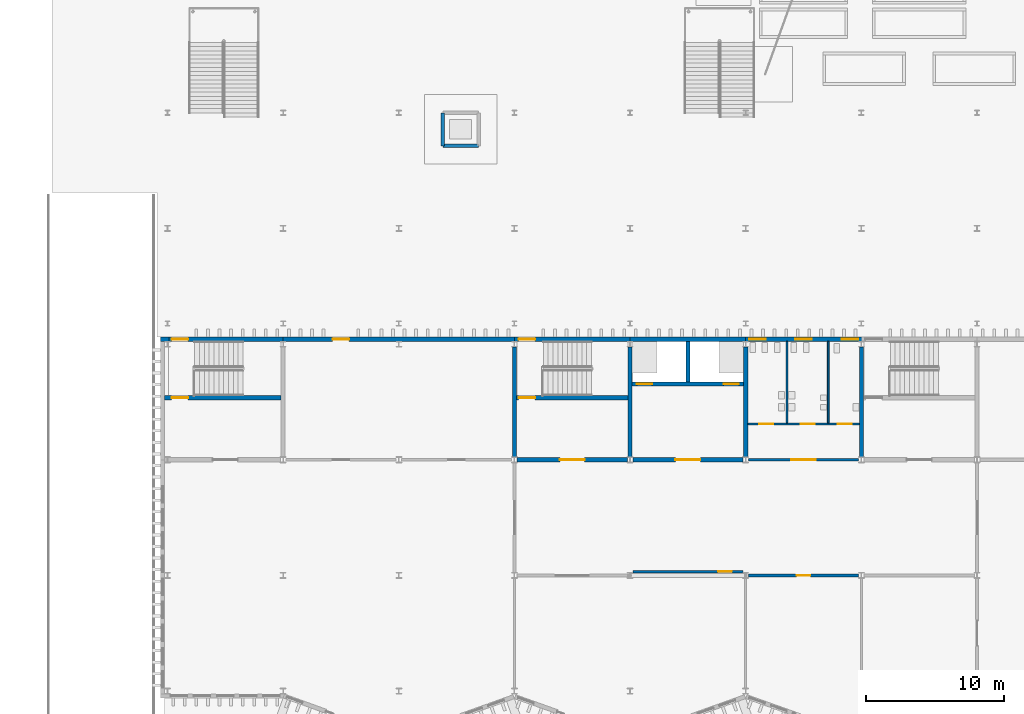
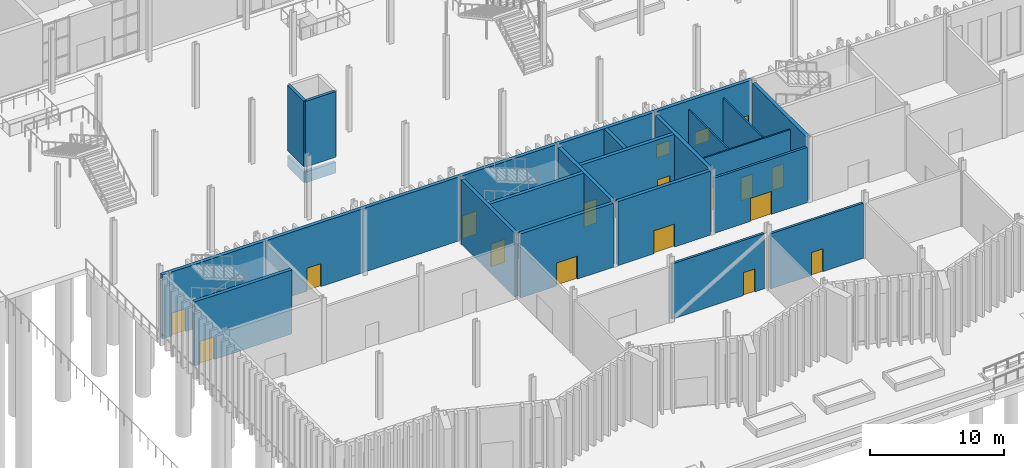
# One storey, part 55 of 108: 26 walls, 15 doors, 3 windows, 18 openings.
"""IFC4 building model written with IfcOpenShell, lengths in metres."""

from ifc_helpers import new_model, si_unit, direction, frame, frame_2d, origin, place, context, subcontext, project, spatial, rectangle, extrude, material, layer, layer_set, type_object, element, fill, save


model = new_model("IFC4")

# Units and contexts
model_context = context("Model", 3, precision=1e-05, world=origin(), true_north=direction((0.0, 1.0)))
body_context = subcontext(model_context, "Body", "Model", "MODEL_VIEW")
ifc_project = project(units=[si_unit("LENGTHUNIT", "METRE"), si_unit("AREAUNIT", "SQUARE_METRE"), si_unit("VOLUMEUNIT", "CUBIC_METRE"), si_unit("PLANEANGLEUNIT", "RADIAN"), si_unit("MASSUNIT", "GRAM", prefix="KILO")], contexts=[model_context])

# Site, building, storey
site_placement = place(None, origin())
site = spatial("IfcSite", under=ifc_project, at=site_placement, CompositionType="ELEMENT")
building_placement = place(site_placement, origin())
building = spatial("IfcBuilding", under=site, at=building_placement, Name="Cresset Court Congress Hotel", CompositionType="ELEMENT")
storey_placement = place(building_placement, origin())
storey = spatial("IfcBuildingStorey", under=building, at=storey_placement, Name="L00", CompositionType="ELEMENT", Elevation=0.0)

# Walls
ifc_material_1 = material(Name="Concrete C50", Category="concrete")
ifc_layer_1 = layer(ifc_material_1, 0.300048828125)
ifc_layer_set_1 = layer_set([ifc_layer_1], Name="Core wall 300 Concrete C50")
wall_type_1 = type_object("IfcWallType", Name="Core wall 300 Concrete C50", PredefinedType="SHEAR", material=ifc_layer_set_1)
for number, where, z_axis, x_axis, name in (
    (1, (42.0, 17.0, 0.0), (0.0, 0.0, 1.0), (0.0, 1.0, 0.0), "Core wall LC-B1"),
    (2, (50.39990234375, 17.0, 0.0), (0.0, 0.0, 1.0), (0.0, 1.0, 0.0), "Core wall LC-B1"),
):
    element("IfcWall", number, at=place(storey_placement, frame(where, z_axis=z_axis, x_axis=x_axis)), inside=storey, type_object=wall_type_1, Name=name, PredefinedType="SHEAR", context=body_context, shape_type="SweptSolid", body=[
        extrude(rectangle(XDim=8.0, YDim=0.300048828125, at=frame_2d((4.0, 0.0))), origin(), (0.0, 0.0, 1.0), 5.85009765625),
    ])

# Wall, opening, door
wall_1_placement = place(storey_placement, frame((42.199951171875, 16.800048828125, 0.0), z_axis=(0.0, 0.0, 1.0), x_axis=(1.0, 0.0, 0.0)))
wall_1 = element("IfcWall", 3, at=wall_1_placement, inside=storey, type_object=wall_type_1, Name="Core wall LC-B1", PredefinedType="SHEAR", context=body_context, shape_type="SweptSolid", body=[
    extrude(rectangle(XDim=8.0, YDim=0.300048828125, at=frame_2d((4.0, 0.0))), origin(), (0.0, 0.0, 1.0), 5.85009765625),
])
opening_1_placement = place(wall_1_placement, frame((3.10009765625, 0.0, 0.0)))
opening_1 = element("IfcOpeningElement", 4, at=opening_1_placement, cuts=wall_1, Name="Opening DB-00-46", PredefinedType="OPENING", context=body_context, shape_type="SweptSolid", body=[
    extrude(rectangle(XDim=1.800048828125, YDim=2.10009765625, at=frame_2d((0.89990234375, 1.050048828125))), frame((0.0, 0.159912109375, 0.0), z_axis=(0.0, -1.0, 0.0), x_axis=(1.0, 0.0, 0.0)), (0.0, 0.0, 1.0), 0.320068359375),
])
ifc_material_2 = material(Name="Timber and steel frame", Category="steel")
door_type_1 = type_object("IfcDoorType", Name="Lobby fire door FD60 double 1800x2100", OperationType="DOUBLE_DOOR_SINGLE_SWING", PredefinedType="DOOR", material=ifc_material_2)
door_1_placement = place(opening_1_placement, origin())
door_1 = element("IfcDoor", 5, at=door_1_placement, inside=storey, type_object=door_type_1, Name="Lift lobby door LC-B1", OperationType="DOUBLE_DOOR_SINGLE_SWING", OverallHeight=2.10009765625, OverallWidth=1.800048828125, PredefinedType="DOOR", context=body_context, shape_type="SweptSolid", body=[
    extrude(rectangle(XDim=1.800048828125, YDim=2.10009765625, at=frame_2d((0.89990234375, 1.050048828125))), frame((0.0, 0.02490234375, 0.0), z_axis=(0.0, -1.0, 0.0), x_axis=(1.0, 0.0, 0.0)), (0.0, 0.0, 1.0), 0.050048828125),
])
fill(opening_1, door_1)

# Wall, openings, doors
wall_2_placement = place(storey_placement, frame((42.14990234375, 22.300048828125, 0.0), z_axis=(0.0, 0.0, 1.0), x_axis=(1.0, 0.0, 0.0)))
wall_2 = element("IfcWall", 6, at=wall_2_placement, inside=storey, type_object=wall_type_1, Name="Core wall LC-B1", PredefinedType="SHEAR", context=body_context, shape_type="SweptSolid", body=[
    extrude(rectangle(XDim=8.10009765625, YDim=0.300048828125, at=frame_2d((4.050048828125, 0.0))), origin(), (0.0, 0.0, 1.0), 5.85009765625),
])
opening_2_placement = place(wall_2_placement, frame((0.35009765625, 0.0, 0.0)))
opening_2 = element("IfcOpeningElement", 7, at=opening_2_placement, cuts=wall_2, Name="Opening LD-B1-03", PredefinedType="OPENING", context=body_context, shape_type="SweptSolid", body=[
    extrude(rectangle(XDim=1.10009765625, YDim=2.199951171875, at=frame_2d((0.550048828125, 1.10009765625))), frame((0.0, 0.159912109375, 0.0), z_axis=(0.0, -1.0, 0.0), x_axis=(1.0, 0.0, 0.0)), (0.0, 0.0, 1.0), 0.320068359375),
])
opening_3_placement = place(wall_2_placement, frame((6.64990234375, 0.0, 0.0)))
opening_3 = element("IfcOpeningElement", 8, at=opening_3_placement, cuts=wall_2, Name="Opening LD-B1-04", PredefinedType="OPENING", context=body_context, shape_type="SweptSolid", body=[
    extrude(rectangle(XDim=1.10009765625, YDim=2.199951171875, at=frame_2d((0.550048828125, 1.10009765625))), frame((0.0, 0.159912109375, 0.0), z_axis=(0.0, -1.0, 0.0), x_axis=(1.0, 0.0, 0.0)), (0.0, 0.0, 1.0), 0.320068359375),
])
ifc_material_3 = material(Name="Stainless steel", Category="steel")
door_type_2 = type_object("IfcDoorType", Name="Lift landing door sliding 1100x2200", OperationType="SLIDING_TO_LEFT", PredefinedType="DOOR", material=ifc_material_3)
door_2_placement = place(opening_2_placement, origin())
door_2 = element("IfcDoor", 9, at=door_2_placement, inside=storey, type_object=door_type_2, Name="Lift landing door LD-B1-03", OperationType="SLIDING_TO_LEFT", OverallHeight=2.199951171875, OverallWidth=1.10009765625, PredefinedType="DOOR", context=body_context, shape_type="SweptSolid", body=[
    extrude(rectangle(XDim=1.10009765625, YDim=2.199951171875, at=frame_2d((0.550048828125, 1.10009765625))), frame((0.0, 0.02490234375, 0.0), z_axis=(0.0, -1.0, 0.0), x_axis=(1.0, 0.0, 0.0)), (0.0, 0.0, 1.0), 0.050048828125),
])
fill(opening_2, door_2)
door_3_placement = place(opening_3_placement, origin())
door_3 = element("IfcDoor", 10, at=door_3_placement, inside=storey, type_object=door_type_2, Name="Lift landing door LD-B1-04", OperationType="SLIDING_TO_LEFT", OverallHeight=2.199951171875, OverallWidth=1.10009765625, PredefinedType="DOOR", context=body_context, shape_type="SweptSolid", body=[
    extrude(rectangle(XDim=1.10009765625, YDim=2.199951171875, at=frame_2d((0.550048828125, 1.10009765625))), frame((0.0, 0.02490234375, 0.0), z_axis=(0.0, -1.0, 0.0), x_axis=(1.0, 0.0, 0.0)), (0.0, 0.0, 1.0), 0.050048828125),
])
fill(opening_3, door_3)

# Wall
wall_3_placement = place(storey_placement, frame((46.199951171875, 22.449951171875, 0.0), z_axis=(0.0, 0.0, 1.0), x_axis=(0.0, 1.0, 0.0)))
element("IfcWall", 11, at=wall_3_placement, inside=storey, type_object=wall_type_1, Name="Core wall LC-B1", PredefinedType="SHEAR", context=body_context, shape_type="SweptSolid", body=[
    extrude(rectangle(XDim=2.949951171875, YDim=0.300048828125, at=frame_2d((1.47509765625, 0.0))), origin(), (0.0, 0.0, 1.0), 5.85009765625),
])

# Wall, opening, door
wall_4_placement = place(storey_placement, frame((8.199951171875, 21.300048828125, 0.0), z_axis=(0.0, 0.0, 1.0), x_axis=(1.0, 0.0, 0.0)))
wall_4 = element("IfcWall", 12, at=wall_4_placement, inside=storey, type_object=wall_type_1, Name="Core wall ST-B1", PredefinedType="SHEAR", context=body_context, shape_type="SweptSolid", body=[
    extrude(rectangle(XDim=8.449951171875, YDim=0.300048828125, at=frame_2d((4.22509765625, 0.0))), origin(), (0.0, 0.0, 1.0), 5.85009765625),
])
opening_4_placement = place(wall_4_placement, frame((0.5, 0.0, 0.0)))
opening_4 = element("IfcOpeningElement", 13, at=opening_4_placement, cuts=wall_4, Name="Opening DB-00-55", PredefinedType="OPENING", context=body_context, shape_type="SweptSolid", body=[
    extrude(rectangle(XDim=1.199951171875, YDim=2.10009765625, at=frame_2d((0.60009765625, 1.050048828125))), frame((0.0, 0.159912109375, 0.0), z_axis=(0.0, -1.0, 0.0), x_axis=(1.0, 0.0, 0.0)), (0.0, 0.0, 1.0), 0.320068359375),
])
ifc_material_4 = material(Name="Timber and steel frame", Category="steel")
door_type_3 = type_object("IfcDoorType", Name="Stair fire door FD60 1200x2100", OperationType="SINGLE_SWING_LEFT", PredefinedType="DOOR", material=ifc_material_4)
door_4_placement = place(opening_4_placement, origin())
door_4 = element("IfcDoor", 14, at=door_4_placement, inside=storey, type_object=door_type_3, Name="Stair door ST-B1", OperationType="SINGLE_SWING_LEFT", OverallHeight=2.10009765625, OverallWidth=1.199951171875, PredefinedType="DOOR", context=body_context, shape_type="SweptSolid", body=[
    extrude(rectangle(XDim=1.199951171875, YDim=2.10009765625, at=frame_2d((0.60009765625, 1.050048828125))), frame((0.0, 0.02490234375, 0.0), z_axis=(0.0, -1.0, 0.0), x_axis=(1.0, 0.0, 0.0)), (0.0, 0.0, 1.0), 0.050048828125),
])
fill(opening_4, door_4)

# Wall
wall_5_placement = place(storey_placement, frame((33.60009765625, 17.0, 0.0), z_axis=(0.0, 0.0, 1.0), x_axis=(0.0, 1.0, 0.0)))
element("IfcWall", 15, at=wall_5_placement, inside=storey, type_object=wall_type_1, Name="Core wall ST-B2", PredefinedType="SHEAR", context=body_context, shape_type="SweptSolid", body=[
    extrude(rectangle(XDim=8.0, YDim=0.300048828125, at=frame_2d((4.0, 0.0))), origin(), (0.0, 0.0, 1.0), 5.85009765625),
])

# Wall, opening, door
wall_6_placement = place(storey_placement, frame((33.800048828125, 16.800048828125, 0.0), z_axis=(0.0, 0.0, 1.0), x_axis=(1.0, 0.0, 0.0)))
wall_6 = element("IfcWall", 16, at=wall_6_placement, inside=storey, type_object=wall_type_1, Name="Core wall ST-B2", PredefinedType="SHEAR", context=body_context, shape_type="SweptSolid", body=[
    extrude(rectangle(XDim=8.0, YDim=0.300048828125, at=frame_2d((4.0, 0.0))), origin(), (0.0, 0.0, 1.0), 5.85009765625),
])
opening_5_placement = place(wall_6_placement, frame((3.10009765625, 0.0, 0.0)))
opening_5 = element("IfcOpeningElement", 17, at=opening_5_placement, cuts=wall_6, Name="Opening DB-00-58", PredefinedType="OPENING", context=body_context, shape_type="SweptSolid", body=[
    extrude(rectangle(XDim=1.800048828125, YDim=2.10009765625, at=frame_2d((0.89990234375, 1.050048828125))), frame((0.0, 0.159912109375, 0.0), z_axis=(0.0, -1.0, 0.0), x_axis=(1.0, 0.0, 0.0)), (0.0, 0.0, 1.0), 0.320068359375),
])
door_5_placement = place(opening_5_placement, origin())
door_5 = element("IfcDoor", 18, at=door_5_placement, inside=storey, type_object=door_type_1, Name="Stair lobby door ST-B2", OperationType="DOUBLE_DOOR_SINGLE_SWING", OverallHeight=2.10009765625, OverallWidth=1.800048828125, PredefinedType="DOOR", context=body_context, shape_type="SweptSolid", body=[
    extrude(rectangle(XDim=1.800048828125, YDim=2.10009765625, at=frame_2d((0.89990234375, 1.050048828125))), frame((0.0, 0.02490234375, 0.0), z_axis=(0.0, -1.0, 0.0), x_axis=(1.0, 0.0, 0.0)), (0.0, 0.0, 1.0), 0.050048828125),
])
fill(opening_5, door_5)

wall_7_placement = place(storey_placement, frame((33.75, 21.300048828125, 0.0), z_axis=(0.0, 0.0, 1.0), x_axis=(1.0, 0.0, 0.0)))
wall_7 = element("IfcWall", 19, at=wall_7_placement, inside=storey, type_object=wall_type_1, Name="Core wall ST-B2", PredefinedType="SHEAR", context=body_context, shape_type="SweptSolid", body=[
    extrude(rectangle(XDim=8.10009765625, YDim=0.300048828125, at=frame_2d((4.050048828125, 0.0))), origin(), (0.0, 0.0, 1.0), 5.85009765625),
])
opening_6_placement = place(wall_7_placement, frame((0.14990234375, 0.0, 0.0)))
opening_6 = element("IfcOpeningElement", 20, at=opening_6_placement, cuts=wall_7, Name="Opening DB-00-57", PredefinedType="OPENING", context=body_context, shape_type="SweptSolid", body=[
    extrude(rectangle(XDim=1.199951171875, YDim=2.10009765625, at=frame_2d((0.60009765625, 1.050048828125))), frame((0.0, 0.159912109375, 0.0), z_axis=(0.0, -1.0, 0.0), x_axis=(1.0, 0.0, 0.0)), (0.0, 0.0, 1.0), 0.320068359375),
])
door_6_placement = place(opening_6_placement, origin())
door_6 = element("IfcDoor", 21, at=door_6_placement, inside=storey, type_object=door_type_3, Name="Stair door ST-B2", OperationType="SINGLE_SWING_LEFT", OverallHeight=2.10009765625, OverallWidth=1.199951171875, PredefinedType="DOOR", context=body_context, shape_type="SweptSolid", body=[
    extrude(rectangle(XDim=1.199951171875, YDim=2.10009765625, at=frame_2d((0.60009765625, 1.050048828125))), frame((0.0, 0.02490234375, 0.0), z_axis=(0.0, -1.0, 0.0), x_axis=(1.0, 0.0, 0.0)), (0.0, 0.0, 1.0), 0.050048828125),
])
fill(opening_6, door_6)

# Walls
wall_8_placement = place(storey_placement, frame((58.800048828125, 17.0, 0.0), z_axis=(0.0, 0.0, 1.0), x_axis=(0.0, 1.0, 0.0)))
element("IfcWall", 22, at=wall_8_placement, inside=storey, type_object=wall_type_1, Name="Core wall ST-B3", PredefinedType="SHEAR", context=body_context, shape_type="SweptSolid", body=[
    extrude(rectangle(XDim=8.0, YDim=0.300048828125, at=frame_2d((4.0, 0.0))), origin(), (0.0, 0.0, 1.0), 5.85009765625),
])
ifc_material_5 = material(Name="Concrete C50", Category="concrete")
ifc_layer_2 = layer(ifc_material_5, 0.300048828125)
ifc_layer_set_2 = layer_set([ifc_layer_2], Name="Core wall 300 Concrete C50 external")
wall_type_2 = type_object("IfcWallType", Name="Core wall 300 Concrete C50 external", PredefinedType="SHEAR", material=ifc_layer_set_2)
wall_9_placement = place(storey_placement, frame((42.0, 25.550048828125, 0.0), z_axis=(0.0, 0.0, 1.0), x_axis=(1.0, 0.0, 0.0)))
element("IfcWall", 23, at=wall_9_placement, inside=storey, type_object=wall_type_2, Name="Core wall LC-B1", PredefinedType="SHEAR", context=body_context, shape_type="SweptSolid", body=[
    extrude(rectangle(XDim=8.39990234375, YDim=0.300048828125, at=frame_2d((4.199951171875, 0.0))), origin(), (0.0, 0.0, 1.0), 5.85009765625),
])

# Wall, opening, door
wall_10_placement = place(storey_placement, frame((8.39990234375, 25.550048828125, 0.0), z_axis=(0.0, 0.0, 1.0), x_axis=(1.0, 0.0, 0.0)))
wall_10 = element("IfcWall", 24, at=wall_10_placement, inside=storey, type_object=wall_type_2, Name="Core wall ST-B1", PredefinedType="SHEAR", context=body_context, shape_type="SweptSolid", body=[
    extrude(rectangle(XDim=8.400146484375, YDim=0.300048828125, at=frame_2d((4.2001953125, 0.0))), origin(), (0.0, 0.0, 1.0), 5.85009765625),
])
opening_7_placement = place(wall_10_placement, frame((0.300048828125, 0.0, 0.0)))
opening_7 = element("IfcOpeningElement", 25, at=opening_7_placement, cuts=wall_10, Name="Opening DB-00-11A", PredefinedType="OPENING", context=body_context, shape_type="SweptSolid", body=[
    extrude(rectangle(XDim=1.199951171875, YDim=2.10009765625, at=frame_2d((0.60009765625, 1.050048828125))), frame((0.0, 0.159912109375, 0.0), z_axis=(0.0, -1.0, 0.0), x_axis=(1.0, 0.0, 0.0)), (0.0, 0.0, 1.0), 0.320068359375),
])
ifc_material_6 = material(Name="Timber and steel frame", Category="steel")
door_type_4 = type_object("IfcDoorType", Name="Stair fire door FD60 1200x2100 external", OperationType="SINGLE_SWING_LEFT", PredefinedType="DOOR", material=ifc_material_6)
door_7_placement = place(opening_7_placement, origin())
door_7 = element("IfcDoor", 26, at=door_7_placement, inside=storey, type_object=door_type_4, Name="Final exit ST-B1", OperationType="SINGLE_SWING_LEFT", OverallHeight=2.10009765625, OverallWidth=1.199951171875, PredefinedType="DOOR", context=body_context, shape_type="SweptSolid", body=[
    extrude(rectangle(XDim=1.199951171875, YDim=2.10009765625, at=frame_2d((0.60009765625, 1.050048828125))), frame((0.0, 0.02490234375, 0.0), z_axis=(0.0, -1.0, 0.0), x_axis=(1.0, 0.0, 0.0)), (0.0, 0.0, 1.0), 0.050048828125),
])
fill(opening_7, door_7)

wall_11_placement = place(storey_placement, frame((33.60009765625, 25.550048828125, 0.0), z_axis=(0.0, 0.0, 1.0), x_axis=(1.0, 0.0, 0.0)))
wall_11 = element("IfcWall", 27, at=wall_11_placement, inside=storey, type_object=wall_type_2, Name="Core wall ST-B2", PredefinedType="SHEAR", context=body_context, shape_type="SweptSolid", body=[
    extrude(rectangle(XDim=8.39990234375, YDim=0.300048828125, at=frame_2d((4.199951171875, 0.0))), origin(), (0.0, 0.0, 1.0), 5.85009765625),
])
opening_8_placement = place(wall_11_placement, frame((0.300048828125, 0.0, 0.0)))
opening_8 = element("IfcOpeningElement", 28, at=opening_8_placement, cuts=wall_11, Name="Opening DB-00-12A", PredefinedType="OPENING", context=body_context, shape_type="SweptSolid", body=[
    extrude(rectangle(XDim=1.199951171875, YDim=2.10009765625, at=frame_2d((0.60009765625, 1.050048828125))), frame((0.0, 0.159912109375, 0.0), z_axis=(0.0, -1.0, 0.0), x_axis=(1.0, 0.0, 0.0)), (0.0, 0.0, 1.0), 0.320068359375),
])
door_8_placement = place(opening_8_placement, origin())
door_8 = element("IfcDoor", 29, at=door_8_placement, inside=storey, type_object=door_type_4, Name="Final exit ST-B2", OperationType="SINGLE_SWING_LEFT", OverallHeight=2.10009765625, OverallWidth=1.199951171875, PredefinedType="DOOR", context=body_context, shape_type="SweptSolid", body=[
    extrude(rectangle(XDim=1.199951171875, YDim=2.10009765625, at=frame_2d((0.60009765625, 1.050048828125))), frame((0.0, 0.02490234375, 0.0), z_axis=(0.0, -1.0, 0.0), x_axis=(1.0, 0.0, 0.0)), (0.0, 0.0, 1.0), 0.050048828125),
])
fill(opening_8, door_8)

# Wall
ifc_material_7 = material(Name="Concrete C40", Category="concrete")
ifc_layer_3 = layer(ifc_material_7, 0.300048828125)
ifc_layer_set_3 = layer_set([ifc_layer_3], Name="External wall 300 Concrete C40")
wall_type_3 = type_object("IfcWallType", Name="External wall 300 Concrete C40", PredefinedType="SOLIDWALL", material=ifc_layer_set_3)
wall_12_placement = place(storey_placement, frame((7.89990234375, 25.550048828125, 0.0), z_axis=(0.0, 0.0, 1.0), x_axis=(1.0, 0.0, 0.0)))
element("IfcWall", 30, at=wall_12_placement, inside=storey, type_object=wall_type_3, Name="External wall", PredefinedType="SOLIDWALL", context=body_context, shape_type="SweptSolid", body=[
    extrude(rectangle(XDim=0.60009765625, YDim=0.300048828125, at=frame_2d((0.300048828125, 0.0))), origin(), (0.0, 0.0, 1.0), 5.85009765625),
])

# Wall, opening, door
wall_13_placement = place(storey_placement, frame((16.699951171875, 25.550048828125, 0.0), z_axis=(0.0, 0.0, 1.0), x_axis=(1.0, 0.0, 0.0)))
wall_13 = element("IfcWall", 31, at=wall_13_placement, inside=storey, type_object=wall_type_3, Name="External wall", PredefinedType="SOLIDWALL", context=body_context, shape_type="SweptSolid", body=[
    extrude(rectangle(XDim=17.0, YDim=0.300048828125, at=frame_2d((8.5, 0.0))), origin(), (0.0, 0.0, 1.0), 5.85009765625),
])
opening_9_placement = place(wall_13_placement, frame((3.699951171875, 0.0, 0.0)))
opening_9 = element("IfcOpeningElement", 32, at=opening_9_placement, cuts=wall_13, Name="Opening DB-00-09", PredefinedType="OPENING", context=body_context, shape_type="SweptSolid", body=[
    extrude(rectangle(XDim=1.199951171875, YDim=2.10009765625, at=frame_2d((0.60009765625, 1.050048828125))), frame((0.0, 0.159912109375, 0.0), z_axis=(0.0, -1.0, 0.0), x_axis=(1.0, 0.0, 0.0)), (0.0, 0.0, 1.0), 0.320068359375),
])
ifc_material_8 = material(Name="Galvanised steel", Category="steel")
door_type_5 = type_object("IfcDoorType", Name="Service door steel 1200x2100", OperationType="SINGLE_SWING_LEFT", PredefinedType="DOOR", material=ifc_material_8)
door_9_placement = place(opening_9_placement, origin())
door_9 = element("IfcDoor", 33, at=door_9_placement, inside=storey, type_object=door_type_5, Name="Kitchen service door", OperationType="SINGLE_SWING_LEFT", OverallHeight=2.10009765625, OverallWidth=1.199951171875, PredefinedType="DOOR", context=body_context, shape_type="SweptSolid", body=[
    extrude(rectangle(XDim=1.199951171875, YDim=2.10009765625, at=frame_2d((0.60009765625, 1.050048828125))), frame((0.0, 0.02490234375, 0.0), z_axis=(0.0, -1.0, 0.0), x_axis=(1.0, 0.0, 0.0)), (0.0, 0.0, 1.0), 0.050048828125),
])
fill(opening_9, door_9)

# Wall, openings, windows
wall_14_placement = place(storey_placement, frame((50.300048828125, 25.550048828125, 0.0), z_axis=(0.0, 0.0, 1.0), x_axis=(1.0, 0.0, 0.0)))
wall_14 = element("IfcWall", 34, at=wall_14_placement, inside=storey, type_object=wall_type_3, Name="External wall", PredefinedType="SOLIDWALL", context=body_context, shape_type="SweptSolid", body=[
    extrude(rectangle(XDim=8.599853515625, YDim=0.300048828125, at=frame_2d((4.2998046875, 0.0))), origin(), (0.0, 0.0, 1.0), 5.85009765625),
])
opening_10_placement = place(wall_14_placement, frame((0.340087890625, 0.0, 1.5)))
opening_10 = element("IfcOpeningElement", 35, at=opening_10_placement, cuts=wall_14, Name="Opening NB-00-65", PredefinedType="OPENING", context=body_context, shape_type="SweptSolid", body=[
    extrude(rectangle(XDim=1.199951171875, YDim=1.199951171875, at=frame_2d((0.60009765625, 0.60009765625))), frame((0.0, 0.159912109375, 0.0), z_axis=(0.0, -1.0, 0.0), x_axis=(1.0, 0.0, 0.0)), (0.0, 0.0, 1.0), 0.320068359375),
])
opening_11_placement = place(wall_14_placement, frame((3.699951171875, 0.0, 1.5)))
opening_11 = element("IfcOpeningElement", 36, at=opening_11_placement, cuts=wall_14, Name="Opening NB-00-66", PredefinedType="OPENING", context=body_context, shape_type="SweptSolid", body=[
    extrude(rectangle(XDim=1.199951171875, YDim=1.199951171875, at=frame_2d((0.60009765625, 0.60009765625))), frame((0.0, 0.159912109375, 0.0), z_axis=(0.0, -1.0, 0.0), x_axis=(1.0, 0.0, 0.0)), (0.0, 0.0, 1.0), 0.320068359375),
])
opening_12_placement = place(wall_14_placement, frame((7.06005859375, 0.0, 1.5)))
opening_12 = element("IfcOpeningElement", 37, at=opening_12_placement, cuts=wall_14, Name="Opening NB-00-67", PredefinedType="OPENING", context=body_context, shape_type="SweptSolid", body=[
    extrude(rectangle(XDim=1.199951171875, YDim=1.199951171875, at=frame_2d((0.60009765625, 0.60009765625))), frame((0.0, 0.159912109375, 0.0), z_axis=(0.0, -1.0, 0.0), x_axis=(1.0, 0.0, 0.0)), (0.0, 0.0, 1.0), 0.320068359375),
])
ifc_material_9 = material(Name="Aluminium frame with double glazing", Category="aluminium")
window_type = type_object("IfcWindowType", Name="Window 1200x1200", PartitioningType="SINGLE_PANEL", PredefinedType="WINDOW", material=ifc_material_9)
window_1_placement = place(opening_10_placement, origin())
window_1 = element("IfcWindow", 38, at=window_1_placement, inside=storey, type_object=window_type, Name="Window NB-00-65", OverallHeight=1.199951171875, OverallWidth=1.199951171875, PartitioningType="SINGLE_PANEL", PredefinedType="WINDOW", context=body_context, shape_type="SweptSolid", body=[
    extrude(rectangle(XDim=1.199951171875, YDim=1.199951171875, at=frame_2d((0.60009765625, 0.60009765625))), frame((0.0, 0.030029296875, 0.0), z_axis=(0.0, -1.0, 0.0), x_axis=(1.0, 0.0, 0.0)), (0.0, 0.0, 1.0), 0.06005859375),
])
fill(opening_10, window_1)
window_2_placement = place(opening_11_placement, origin())
window_2 = element("IfcWindow", 39, at=window_2_placement, inside=storey, type_object=window_type, Name="Window NB-00-66", OverallHeight=1.199951171875, OverallWidth=1.199951171875, PartitioningType="SINGLE_PANEL", PredefinedType="WINDOW", context=body_context, shape_type="SweptSolid", body=[
    extrude(rectangle(XDim=1.199951171875, YDim=1.199951171875, at=frame_2d((0.60009765625, 0.60009765625))), frame((0.0, 0.030029296875, 0.0), z_axis=(0.0, -1.0, 0.0), x_axis=(1.0, 0.0, 0.0)), (0.0, 0.0, 1.0), 0.06005859375),
])
fill(opening_11, window_2)
window_3_placement = place(opening_12_placement, origin())
window_3 = element("IfcWindow", 40, at=window_3_placement, inside=storey, type_object=window_type, Name="Window NB-00-67", OverallHeight=1.199951171875, OverallWidth=1.199951171875, PartitioningType="SINGLE_PANEL", PredefinedType="WINDOW", context=body_context, shape_type="SweptSolid", body=[
    extrude(rectangle(XDim=1.199951171875, YDim=1.199951171875, at=frame_2d((0.60009765625, 0.60009765625))), frame((0.0, 0.030029296875, 0.0), z_axis=(0.0, -1.0, 0.0), x_axis=(1.0, 0.0, 0.0)), (0.0, 0.0, 1.0), 0.06005859375),
])
fill(opening_12, window_3)

# Wall, opening, door
ifc_material_10 = material(Name="Gypsum board on steel studs", Category="steel")
ifc_layer_4 = layer(ifc_material_10, 0.199951171875)
ifc_layer_set_4 = layer_set([ifc_layer_4], Name="Foyer wall 200")
wall_type_4 = type_object("IfcWallType", Name="Foyer wall 200", PredefinedType="PARTITIONING", material=ifc_layer_set_4)
wall_15_placement = place(storey_placement, frame((42.199951171875, 8.672607421875, 0.0), z_axis=(0.0, 0.0, 1.0), x_axis=(1.0, 0.0, 0.0)))
wall_15 = element("IfcWall", 41, at=wall_15_placement, inside=storey, type_object=wall_type_4, Name="Foyer wall", PredefinedType="PARTITIONING", context=body_context, shape_type="SweptSolid", body=[
    extrude(rectangle(XDim=8.0, YDim=0.199951171875, at=frame_2d((4.0, 0.0))), origin(), (0.0, 0.0, 1.0), 5.050048828125),
])
opening_13_placement = place(wall_15_placement, frame((6.199951171875, 0.0, 0.0)))
opening_13 = element("IfcOpeningElement", 42, at=opening_13_placement, cuts=wall_15, Name="Opening DB-00-17", PredefinedType="OPENING", context=body_context, shape_type="SweptSolid", body=[
    extrude(rectangle(XDim=1.0, YDim=2.10009765625, at=frame_2d((0.5, 1.050048828125))), frame((0.0, 0.10986328125, 0.0), z_axis=(0.0, -1.0, 0.0), x_axis=(1.0, 0.0, 0.0)), (0.0, 0.0, 1.0), 0.219970703125),
])
ifc_material_11 = material(Name="Timber and steel frame", Category="steel")
door_type_6 = type_object("IfcDoorType", Name="Fire door FD30 single 1000x2100", OperationType="SINGLE_SWING_LEFT", PredefinedType="DOOR", material=ifc_material_11)
door_10_placement = place(opening_13_placement, origin())
door_10 = element("IfcDoor", 43, at=door_10_placement, inside=storey, type_object=door_type_6, Name="Cafe door", OperationType="SINGLE_SWING_LEFT", OverallHeight=2.10009765625, OverallWidth=1.0, PredefinedType="DOOR", context=body_context, shape_type="SweptSolid", body=[
    extrude(rectangle(XDim=1.0, YDim=2.10009765625, at=frame_2d((0.5, 1.050048828125))), frame((0.0, 0.02490234375, 0.0), z_axis=(0.0, -1.0, 0.0), x_axis=(1.0, 0.0, 0.0)), (0.0, 0.0, 1.0), 0.050048828125),
])
fill(opening_13, door_10)

wall_16_placement = place(storey_placement, frame((50.60009765625, 8.39990234375, 0.0), z_axis=(0.0, 0.0, 1.0), x_axis=(1.0, 0.0, 0.0)))
wall_16 = element("IfcWall", 44, at=wall_16_placement, inside=storey, type_object=wall_type_4, Name="Foyer wall", PredefinedType="PARTITIONING", context=body_context, shape_type="SweptSolid", body=[
    extrude(rectangle(XDim=8.0, YDim=0.199951171875, at=frame_2d((4.0, 0.0))), origin(), (0.0, 0.0, 1.0), 5.050048828125),
])
opening_14_placement = place(wall_16_placement, frame((3.5, 0.0, 0.0)))
opening_14 = element("IfcOpeningElement", 45, at=opening_14_placement, cuts=wall_16, Name="Opening DB-00-18", PredefinedType="OPENING", context=body_context, shape_type="SweptSolid", body=[
    extrude(rectangle(XDim=1.0, YDim=2.10009765625, at=frame_2d((0.5, 1.050048828125))), frame((0.0, 0.10986328125, 0.0), z_axis=(0.0, -1.0, 0.0), x_axis=(1.0, 0.0, 0.0)), (0.0, 0.0, 1.0), 0.219970703125),
])
door_11_placement = place(opening_14_placement, origin())
door_11 = element("IfcDoor", 46, at=door_11_placement, inside=storey, type_object=door_type_6, Name="Business Centre door", OperationType="SINGLE_SWING_LEFT", OverallHeight=2.10009765625, OverallWidth=1.0, PredefinedType="DOOR", context=body_context, shape_type="SweptSolid", body=[
    extrude(rectangle(XDim=1.0, YDim=2.10009765625, at=frame_2d((0.5, 1.050048828125))), frame((0.0, 0.02490234375, 0.0), z_axis=(0.0, -1.0, 0.0), x_axis=(1.0, 0.0, 0.0)), (0.0, 0.0, 1.0), 0.050048828125),
])
fill(opening_14, door_11)

wall_17_placement = place(storey_placement, frame((50.60009765625, 16.800048828125, 0.0), z_axis=(0.0, 0.0, 1.0), x_axis=(1.0, 0.0, 0.0)))
wall_17 = element("IfcWall", 47, at=wall_17_placement, inside=storey, type_object=wall_type_4, Name="Foyer wall", PredefinedType="PARTITIONING", context=body_context, shape_type="SweptSolid", body=[
    extrude(rectangle(XDim=8.0, YDim=0.199951171875, at=frame_2d((4.0, 0.0))), origin(), (0.0, 0.0, 1.0), 5.050048828125),
])
opening_15_placement = place(wall_17_placement, frame((3.10009765625, 0.0, 0.0)))
opening_15 = element("IfcOpeningElement", 48, at=opening_15_placement, cuts=wall_17, Name="Opening DB-00-29", PredefinedType="OPENING", context=body_context, shape_type="SweptSolid", body=[
    extrude(rectangle(XDim=1.800048828125, YDim=2.10009765625, at=frame_2d((0.89990234375, 1.050048828125))), frame((0.0, 0.10986328125, 0.0), z_axis=(0.0, -1.0, 0.0), x_axis=(1.0, 0.0, 0.0)), (0.0, 0.0, 1.0), 0.219970703125),
])
ifc_material_12 = material(Name="Timber and steel frame", Category="steel")
door_type_7 = type_object("IfcDoorType", Name="Fire door FD30 double 1800x2100", OperationType="DOUBLE_DOOR_SINGLE_SWING", PredefinedType="DOOR", material=ifc_material_12)
door_12_placement = place(opening_15_placement, origin())
door_12 = element("IfcDoor", 49, at=door_12_placement, inside=storey, type_object=door_type_7, Name="Toilet lobby door", OperationType="DOUBLE_DOOR_SINGLE_SWING", OverallHeight=2.10009765625, OverallWidth=1.800048828125, PredefinedType="DOOR", context=body_context, shape_type="SweptSolid", body=[
    extrude(rectangle(XDim=1.800048828125, YDim=2.10009765625, at=frame_2d((0.89990234375, 1.050048828125))), frame((0.0, 0.02490234375, 0.0), z_axis=(0.0, -1.0, 0.0), x_axis=(1.0, 0.0, 0.0)), (0.0, 0.0, 1.0), 0.050048828125),
])
fill(opening_15, door_12)

# Walls
ifc_material_13 = material(Name="Concrete C50", Category="concrete")
ifc_layer_5 = layer(ifc_material_13, 0.25)
ifc_layer_set_5 = layer_set([ifc_layer_5], Name="Lift shaft wall 250")
wall_type_5 = type_object("IfcWallType", Name="Lift shaft wall 250", PredefinedType="SOLIDWALL", material=ifc_layer_set_5)
wall_18_placement = place(storey_placement, frame((28.39990234375, 39.60009765625, -1.449951171875), z_axis=(0.0, 0.0, 1.0), x_axis=(1.0, 0.0, 0.0)))
element("IfcWall", 50, at=wall_18_placement, inside=storey, type_object=wall_type_5, Name="S.lift.L00.LF-S2.pit.S", PredefinedType="SOLIDWALL", context=body_context, shape_type="SweptSolid", body=[
    extrude(rectangle(XDim=2.60009765625, YDim=0.25, at=frame_2d((1.300048828125, 0.0))), origin(), (0.0, 0.0, 1.0), 1.0),
])
wall_19_placement = place(storey_placement, frame((28.39990234375, 39.60009765625, -1.449951171875), z_axis=(0.0, 0.0, 1.0), x_axis=(0.0, 1.0, 0.0)))
element("IfcWall", 51, at=wall_19_placement, inside=storey, type_object=wall_type_5, Name="S.lift.L00.LF-S2.pit.W", PredefinedType="SOLIDWALL", context=body_context, shape_type="SweptSolid", body=[
    extrude(rectangle(XDim=2.39990234375, YDim=0.25, at=frame_2d((1.199951171875, 0.0))), origin(), (0.0, 0.0, 1.0), 1.0),
])
wall_20_placement = place(storey_placement, frame((28.39990234375, 39.60009765625, 0.0), z_axis=(0.0, 0.0, 1.0), x_axis=(1.0, 0.0, 0.0)))
element("IfcWall", 52, at=wall_20_placement, inside=storey, type_object=wall_type_5, Name="S.lift.L00.LF-S2.S", PredefinedType="SOLIDWALL", context=body_context, shape_type="SweptSolid", body=[
    extrude(rectangle(XDim=2.60009765625, YDim=0.25, at=frame_2d((1.300048828125, 0.0))), origin(), (0.0, 0.0, 1.0), 6.0),
])
wall_21_placement = place(storey_placement, frame((28.39990234375, 39.60009765625, 0.0), z_axis=(0.0, 0.0, 1.0), x_axis=(0.0, 1.0, 0.0)))
element("IfcWall", 53, at=wall_21_placement, inside=storey, type_object=wall_type_5, Name="S.lift.L00.LF-S2.W", PredefinedType="SOLIDWALL", context=body_context, shape_type="SweptSolid", body=[
    extrude(rectangle(XDim=2.39990234375, YDim=0.25, at=frame_2d((1.199951171875, 0.0))), origin(), (0.0, 0.0, 1.0), 6.0),
])

# Wall, openings, doors
ifc_material_14 = material(Name="Moisture-resistant board on steel studs", Category="steel")
ifc_layer_6 = layer(ifc_material_14, 0.125)
ifc_layer_set_6 = layer_set([ifc_layer_6], Name="Wet area partition 125")
wall_type_6 = type_object("IfcWallType", Name="Wet area partition 125", PredefinedType="PARTITIONING", material=ifc_layer_set_6)
wall_22_placement = place(storey_placement, frame((50.550048828125, 19.39990234375, 0.0), z_axis=(0.0, 0.0, 1.0), x_axis=(1.0, 0.0, 0.0)))
wall_22 = element("IfcWall", 54, at=wall_22_placement, inside=storey, type_object=wall_type_6, Name="Wet area partition", PredefinedType="PARTITIONING", context=body_context, shape_type="SweptSolid", body=[
    extrude(rectangle(XDim=8.099853515625, YDim=0.125, at=frame_2d((4.0498046875, 0.0))), origin(), (0.0, 0.0, 1.0), 5.050048828125),
])
opening_16_placement = place(wall_22_placement, frame((0.85009765625, 0.0, 0.0)))
opening_16 = element("IfcOpeningElement", 55, at=opening_16_placement, cuts=wall_22, Name="Opening DB-00-37", PredefinedType="OPENING", context=body_context, shape_type="SweptSolid", body=[
    extrude(rectangle(XDim=1.0, YDim=2.10009765625, at=frame_2d((0.5, 1.050048828125))), frame((0.0, 0.072509765625, 0.0), z_axis=(0.0, -1.0, 0.0), x_axis=(1.0, 0.0, 0.0)), (0.0, 0.0, 1.0), 0.14501953125),
])
opening_17_placement = place(wall_22_placement, frame((3.85009765625, 0.0, 0.0)))
opening_17 = element("IfcOpeningElement", 56, at=opening_17_placement, cuts=wall_22, Name="Opening DB-00-38", PredefinedType="OPENING", context=body_context, shape_type="SweptSolid", body=[
    extrude(rectangle(XDim=1.0, YDim=2.10009765625, at=frame_2d((0.5, 1.050048828125))), frame((0.0, 0.072509765625, 0.0), z_axis=(0.0, -1.0, 0.0), x_axis=(1.0, 0.0, 0.0)), (0.0, 0.0, 1.0), 0.14501953125),
])
opening_18_placement = place(wall_22_placement, frame((6.550048828125, 0.0, 0.0)))
opening_18 = element("IfcOpeningElement", 57, at=opening_18_placement, cuts=wall_22, Name="Opening DB-00-39", PredefinedType="OPENING", context=body_context, shape_type="SweptSolid", body=[
    extrude(rectangle(XDim=1.0, YDim=2.10009765625, at=frame_2d((0.5, 1.050048828125))), frame((0.0, 0.072509765625, 0.0), z_axis=(0.0, -1.0, 0.0), x_axis=(1.0, 0.0, 0.0)), (0.0, 0.0, 1.0), 0.14501953125),
])
ifc_material_15 = material(Name="Timber and steel frame", Category="steel")
door_type_8 = type_object("IfcDoorType", Name="Single door 1000x2100", OperationType="SINGLE_SWING_LEFT", PredefinedType="DOOR", material=ifc_material_15)
door_13_placement = place(opening_18_placement, origin())
door_13 = element("IfcDoor", 58, at=door_13_placement, inside=storey, type_object=door_type_8, Name="Accessible WC door", OperationType="SINGLE_SWING_LEFT", OverallHeight=2.10009765625, OverallWidth=1.0, PredefinedType="DOOR", context=body_context, shape_type="SweptSolid", body=[
    extrude(rectangle(XDim=1.0, YDim=2.10009765625, at=frame_2d((0.5, 1.050048828125))), frame((0.0, 0.02490234375, 0.0), z_axis=(0.0, -1.0, 0.0), x_axis=(1.0, 0.0, 0.0)), (0.0, 0.0, 1.0), 0.050048828125),
])
fill(opening_18, door_13)
ifc_material_16 = material(Name="Timber and steel frame", Category="steel")
door_type_9 = type_object("IfcDoorType", Name="Toilet door 1000x2100", OperationType="SINGLE_SWING_LEFT", PredefinedType="DOOR", material=ifc_material_16)
door_14_placement = place(opening_16_placement, origin())
door_14 = element("IfcDoor", 59, at=door_14_placement, inside=storey, type_object=door_type_9, Name="Women's WC door", OperationType="SINGLE_SWING_LEFT", OverallHeight=2.10009765625, OverallWidth=1.0, PredefinedType="DOOR", context=body_context, shape_type="SweptSolid", body=[
    extrude(rectangle(XDim=1.0, YDim=2.10009765625, at=frame_2d((0.5, 1.050048828125))), frame((0.0, 0.02490234375, 0.0), z_axis=(0.0, -1.0, 0.0), x_axis=(1.0, 0.0, 0.0)), (0.0, 0.0, 1.0), 0.050048828125),
])
fill(opening_16, door_14)
door_15_placement = place(opening_17_placement, origin())
door_15 = element("IfcDoor", 60, at=door_15_placement, inside=storey, type_object=door_type_9, Name="Men's WC door", OperationType="SINGLE_SWING_LEFT", OverallHeight=2.10009765625, OverallWidth=1.0, PredefinedType="DOOR", context=body_context, shape_type="SweptSolid", body=[
    extrude(rectangle(XDim=1.0, YDim=2.10009765625, at=frame_2d((0.5, 1.050048828125))), frame((0.0, 0.02490234375, 0.0), z_axis=(0.0, -1.0, 0.0), x_axis=(1.0, 0.0, 0.0)), (0.0, 0.0, 1.0), 0.050048828125),
])
fill(opening_17, door_15)

# Walls
for number, where, z_axis, x_axis, name in (
    (61, (53.39990234375, 19.46240234375, 0.0), (0.0, 0.0, 1.0), (0.0, 1.0, 0.0), "Wet area partition"),
    (62, (56.39990234375, 19.46240234375, 0.0), (0.0, 0.0, 1.0), (0.0, 1.0, 0.0), "Wet area partition"),
):
    element("IfcWall", number, at=place(storey_placement, frame(where, z_axis=z_axis, x_axis=x_axis)), inside=storey, type_object=wall_type_6, Name=name, PredefinedType="PARTITIONING", context=body_context, shape_type="SweptSolid", body=[
        extrude(rectangle(XDim=5.9375, YDim=0.125, at=frame_2d((2.96875, 0.0))), origin(), (0.0, 0.0, 1.0), 5.050048828125),
    ])

save(model, "model.ifc")
